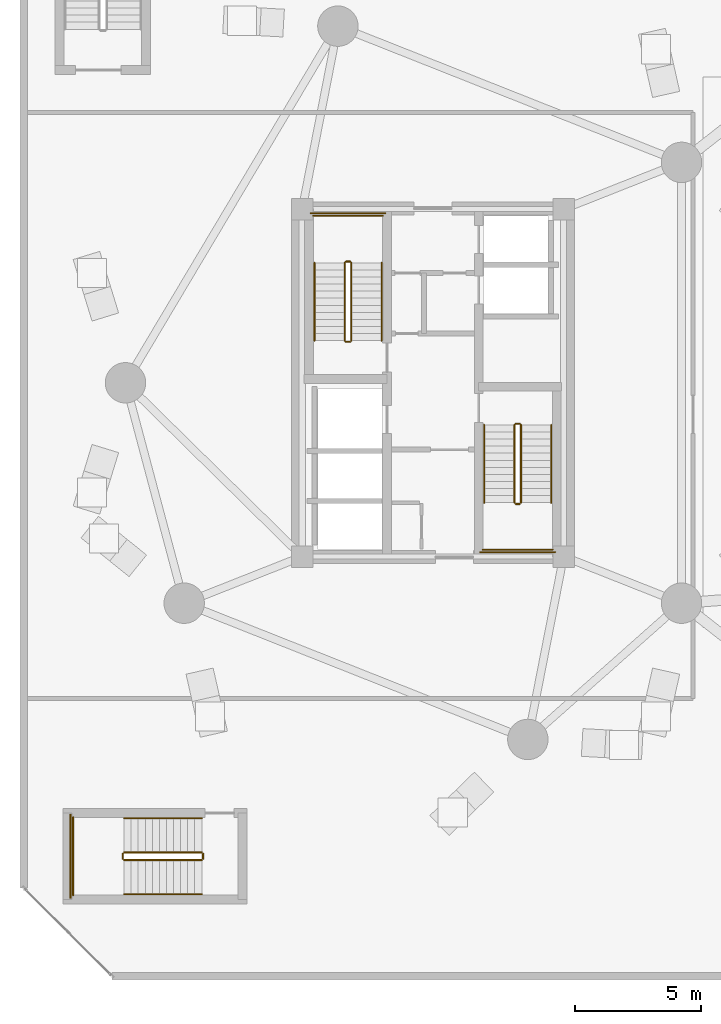
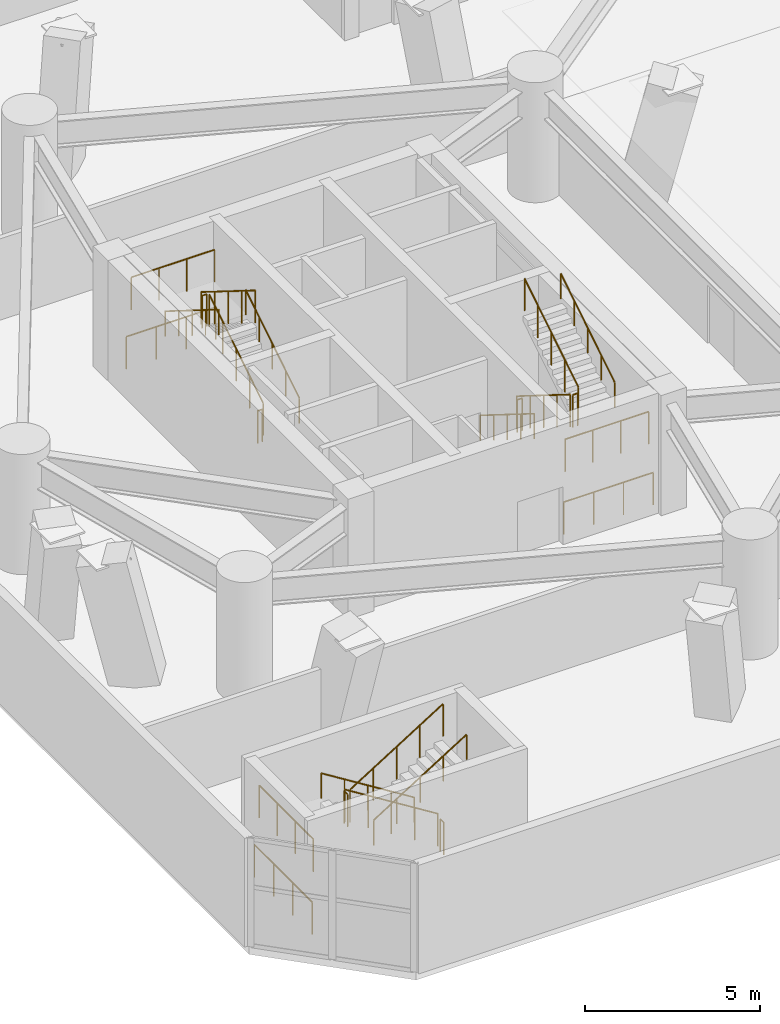
# One storey, part 16 of 20: 24 railings.
"""IFC4 building model written with IfcOpenShell, lengths in metres."""

from ifc_helpers import new_model, si_unit, direction, frame, origin, origin_2d, place, context, subcontext, project, spatial, circle, extrude, material, type_object, element, save


model = new_model("IFC4")

# Units and contexts
model_context = context("Model", 3, precision=1e-05, world=origin(), true_north=direction((0.0, 1.0)))
body_context = subcontext(model_context, "Body", "Model", "MODEL_VIEW")
ifc_project = project(units=[si_unit("LENGTHUNIT", "METRE"), si_unit("AREAUNIT", "SQUARE_METRE"), si_unit("VOLUMEUNIT", "CUBIC_METRE"), si_unit("PLANEANGLEUNIT", "RADIAN"), si_unit("MASSUNIT", "GRAM", prefix="KILO")], contexts=[model_context])

# Site, building, storey
site_placement = place(None, origin())
site = spatial("IfcSite", under=ifc_project, at=site_placement, CompositionType="ELEMENT")
building_placement = place(site_placement, origin())
building = spatial("IfcBuilding", under=site, at=building_placement, Name="Cununo Teusaquillo Station Towers", CompositionType="ELEMENT")
storey_placement = place(building_placement, frame((0.0, 0.0, 13.199951171875)))
storey = spatial("IfcBuildingStorey", under=building, at=storey_placement, Name="L03", CompositionType="ELEMENT", Elevation=13.199951171875)

# Railings
ifc_material_1 = material(Name="Steel EN 10025-2 S355J2", Category="steel")
railing_type_1 = type_object("IfcRailingType", Name="RL-INT-GUARD", PredefinedType="GUARDRAIL", material=ifc_material_1)
railing_1_placement = place(storey_placement, frame((13.27001953125, 26.169921875, 0.175048828125)))
element("IfcRailing", 1, at=railing_1_placement, inside=storey, type_object=railing_type_1, Name="L03 ST-T1-1 stair guard 1", PredefinedType="GUARDRAIL", context=body_context, shape_type="SweptSolid", body=[
    extrude(circle(Radius=0.02392578125, at=origin_2d()), frame((0.0, 0.0, 1.1259765625), z_axis=(0.0, 0.847998304005, 0.529998940003), x_axis=(-1.0, 0.0, 0.0)), (0.0, 0.0, 1.0), 3.632080078125),
    extrude(circle(Radius=0.02099609375, at=origin_2d()), origin(), (0.0, 0.0, 1.0), 1.101806640625),
    extrude(circle(Radius=0.02099609375, at=origin_2d()), frame((0.0, 0.77001953125, 0.481201171875)), (0.0, 0.0, 1.0), 1.101806640625),
    extrude(circle(Radius=0.02099609375, at=origin_2d()), frame((0.0, 1.5400390625, 0.96240234375)), (0.0, 0.0, 1.0), 1.101806640625),
    extrude(circle(Radius=0.02099609375, at=origin_2d()), frame((0.0, 2.31005859375, 1.44384765625)), (0.0, 0.0, 1.0), 1.101806640625),
    extrude(circle(Radius=0.02099609375, at=origin_2d()), frame((0.0, 3.080078125, 1.925048828125)), (0.0, 0.0, 1.0), 1.101806640625),
])
railing_2_placement = place(storey_placement, frame((13.219970703125, 29.300048828125, 2.10009765625)))
element("IfcRailing", 2, at=railing_2_placement, inside=storey, type_object=railing_type_1, Name="L03 ST-T1-1 stair guard 2", PredefinedType="GUARDRAIL", context=body_context, shape_type="SweptSolid", body=[
    extrude(circle(Radius=0.02392578125, at=origin_2d()), frame((0.0, 0.0, 1.1259765625), z_axis=(-1.0, 0.0, 0.0), x_axis=(0.0, -1.0, 0.0)), (0.0, 0.0, 1.0), 0.159912109375),
    extrude(circle(Radius=0.02099609375, at=origin_2d()), origin(), (0.0, 0.0, 1.0), 1.101806640625),
    extrude(circle(Radius=0.02099609375, at=origin_2d()), frame((-0.159912109375, 0.0, 0.0)), (0.0, 0.0, 1.0), 1.101806640625),
])
railing_3_placement = place(storey_placement, frame((14.52001953125, 31.110107421875, 2.10009765625)))
element("IfcRailing", 3, at=railing_3_placement, inside=storey, type_object=railing_type_1, Name="L03 ST-T1-1 stair guard 3", PredefinedType="GUARDRAIL", context=body_context, shape_type="SweptSolid", body=[
    extrude(circle(Radius=0.02392578125, at=origin_2d()), frame((0.0, 0.0, 1.1259765625), z_axis=(-1.0, 0.0, 0.0), x_axis=(0.0, -1.0, 0.0)), (0.0, 0.0, 1.0), 2.760009765625),
    extrude(circle(Radius=0.02099609375, at=origin_2d()), origin(), (0.0, 0.0, 1.0), 1.101806640625),
    extrude(circle(Radius=0.02099609375, at=origin_2d()), frame((-0.919921875, 0.0, 0.0)), (0.0, 0.0, 1.0), 1.101806640625),
    extrude(circle(Radius=0.02099609375, at=origin_2d()), frame((-1.840087890625, 0.0, 0.0)), (0.0, 0.0, 1.0), 1.101806640625),
    extrude(circle(Radius=0.02099609375, at=origin_2d()), frame((-2.760009765625, 0.0, 0.0)), (0.0, 0.0, 1.0), 1.101806640625),
])
railing_4_placement = place(storey_placement, frame((13.010009765625, 29.25, 2.275146484375)))
element("IfcRailing", 4, at=railing_4_placement, inside=storey, type_object=railing_type_1, Name="L03 ST-T1-1 stair guard 4", PredefinedType="GUARDRAIL", context=body_context, shape_type="SweptSolid", body=[
    extrude(circle(Radius=0.02392578125, at=origin_2d()), frame((0.0, 0.0, 1.1259765625), z_axis=(0.0, -0.848028513186, 0.529950602248), x_axis=(1.0, 0.0, 0.0)), (0.0, 0.0, 1.0), 3.632080078125),
    extrude(circle(Radius=0.02099609375, at=origin_2d()), origin(), (0.0, 0.0, 1.0), 1.101806640625),
    extrude(circle(Radius=0.02099609375, at=origin_2d()), frame((0.0, -0.77001953125, 0.481201171875)), (0.0, 0.0, 1.0), 1.101806640625),
    extrude(circle(Radius=0.02099609375, at=origin_2d()), frame((0.0, -1.5400390625, 0.96240234375)), (0.0, 0.0, 1.0), 1.101806640625),
    extrude(circle(Radius=0.02099609375, at=origin_2d()), frame((0.0, -2.31005859375, 1.443603515625)), (0.0, 0.0, 1.0), 1.101806640625),
    extrude(circle(Radius=0.02099609375, at=origin_2d()), frame((0.0, -3.080078125, 1.9248046875)), (0.0, 0.0, 1.0), 1.101806640625),
])
railing_5_placement = place(storey_placement, frame((13.219970703125, 26.1201171875, 0.0)))
element("IfcRailing", 5, at=railing_5_placement, inside=storey, type_object=railing_type_1, Name="L03 ST-T1-1 stair guard 5", PredefinedType="GUARDRAIL", context=body_context, shape_type="SweptSolid", body=[
    extrude(circle(Radius=0.02392578125, at=origin_2d()), frame((0.0, 0.0, 1.1259765625), z_axis=(-1.0, 0.0, 0.0), x_axis=(0.0, -1.0, 0.0)), (0.0, 0.0, 1.0), 0.159912109375),
    extrude(circle(Radius=0.02099609375, at=origin_2d()), origin(), (0.0, 0.0, 1.0), 1.101806640625),
    extrude(circle(Radius=0.02099609375, at=origin_2d()), frame((-0.159912109375, 0.0, 0.0)), (0.0, 0.0, 1.0), 1.101806640625),
])
railing_6_placement = place(storey_placement, frame((14.6201171875, 31.2099609375, 0.0)))
element("IfcRailing", 6, at=railing_6_placement, inside=storey, type_object=railing_type_1, Name="L03 ST-T1-1 stair guard 6", PredefinedType="GUARDRAIL", context=body_context, shape_type="SweptSolid", body=[
    extrude(circle(Radius=0.02392578125, at=origin_2d()), frame((0.0, 0.0, 1.1259765625), z_axis=(-1.0, 0.0, 0.0), x_axis=(0.0, -1.0, 0.0)), (0.0, 0.0, 1.0), 2.960205078125),
    extrude(circle(Radius=0.02099609375, at=origin_2d()), origin(), (0.0, 0.0, 1.0), 1.101806640625),
    extrude(circle(Radius=0.02099609375, at=origin_2d()), frame((-0.98681640625, 0.0, 0.0)), (0.0, 0.0, 1.0), 1.101806640625),
    extrude(circle(Radius=0.02099609375, at=origin_2d()), frame((-1.973388671875, 0.0, 0.0)), (0.0, 0.0, 1.0), 1.101806640625),
    extrude(circle(Radius=0.02099609375, at=origin_2d()), frame((-2.960205078125, 0.0, 0.0)), (0.0, 0.0, 1.0), 1.101806640625),
])
railing_7_placement = place(storey_placement, frame((19.72998046875, 22.830078125, 0.175048828125)))
element("IfcRailing", 7, at=railing_7_placement, inside=storey, type_object=railing_type_1, Name="L03 ST-T1-2 stair guard 1", PredefinedType="GUARDRAIL", context=body_context, shape_type="SweptSolid", body=[
    extrude(circle(Radius=0.02392578125, at=origin_2d()), frame((0.0, 0.0, 1.1259765625), z_axis=(0.0, -0.847998304005, 0.529998940003), x_axis=(1.0, 0.0, 0.0)), (0.0, 0.0, 1.0), 3.632080078125),
    extrude(circle(Radius=0.02099609375, at=origin_2d()), origin(), (0.0, 0.0, 1.0), 1.101806640625),
    extrude(circle(Radius=0.02099609375, at=origin_2d()), frame((0.0, -0.77001953125, 0.481201171875)), (0.0, 0.0, 1.0), 1.101806640625),
    extrude(circle(Radius=0.02099609375, at=origin_2d()), frame((0.0, -1.5400390625, 0.96240234375)), (0.0, 0.0, 1.0), 1.101806640625),
    extrude(circle(Radius=0.02099609375, at=origin_2d()), frame((0.0, -2.31005859375, 1.44384765625)), (0.0, 0.0, 1.0), 1.101806640625),
    extrude(circle(Radius=0.02099609375, at=origin_2d()), frame((0.0, -3.080078125, 1.925048828125)), (0.0, 0.0, 1.0), 1.101806640625),
])
railing_8_placement = place(storey_placement, frame((19.780029296875, 19.699951171875, 2.10009765625)))
element("IfcRailing", 8, at=railing_8_placement, inside=storey, type_object=railing_type_1, Name="L03 ST-T1-2 stair guard 2", PredefinedType="GUARDRAIL", context=body_context, shape_type="SweptSolid", body=[
    extrude(circle(Radius=0.02392578125, at=origin_2d()), frame((0.0, 0.0, 1.1259765625), z_axis=(1.0, 0.0, 0.0), x_axis=(0.0, 1.0, 0.0)), (0.0, 0.0, 1.0), 0.159912109375),
    extrude(circle(Radius=0.02099609375, at=origin_2d()), origin(), (0.0, 0.0, 1.0), 1.101806640625),
    extrude(circle(Radius=0.02099609375, at=origin_2d()), frame((0.159912109375, 0.0, 0.0)), (0.0, 0.0, 1.0), 1.101806640625),
])
railing_9_placement = place(storey_placement, frame((18.47998046875, 17.889892578125, 2.10009765625)))
element("IfcRailing", 9, at=railing_9_placement, inside=storey, type_object=railing_type_1, Name="L03 ST-T1-2 stair guard 3", PredefinedType="GUARDRAIL", context=body_context, shape_type="SweptSolid", body=[
    extrude(circle(Radius=0.02392578125, at=origin_2d()), frame((0.0, 0.0, 1.1259765625), z_axis=(1.0, 0.0, 0.0), x_axis=(0.0, 1.0, 0.0)), (0.0, 0.0, 1.0), 2.760009765625),
    extrude(circle(Radius=0.02099609375, at=origin_2d()), origin(), (0.0, 0.0, 1.0), 1.101806640625),
    extrude(circle(Radius=0.02099609375, at=origin_2d()), frame((0.919921875, 0.0, 0.0)), (0.0, 0.0, 1.0), 1.101806640625),
    extrude(circle(Radius=0.02099609375, at=origin_2d()), frame((1.840087890625, 0.0, 0.0)), (0.0, 0.0, 1.0), 1.101806640625),
    extrude(circle(Radius=0.02099609375, at=origin_2d()), frame((2.760009765625, 0.0, 0.0)), (0.0, 0.0, 1.0), 1.101806640625),
])
railing_10_placement = place(storey_placement, frame((19.989990234375, 19.75, 2.275146484375)))
element("IfcRailing", 10, at=railing_10_placement, inside=storey, type_object=railing_type_1, Name="L03 ST-T1-2 stair guard 4", PredefinedType="GUARDRAIL", context=body_context, shape_type="SweptSolid", body=[
    extrude(circle(Radius=0.02392578125, at=origin_2d()), frame((0.0, 0.0, 1.1259765625), z_axis=(0.0, 0.848028513186, 0.529950602248), x_axis=(-1.0, 0.0, 0.0)), (0.0, 0.0, 1.0), 3.632080078125),
    extrude(circle(Radius=0.02099609375, at=origin_2d()), origin(), (0.0, 0.0, 1.0), 1.101806640625),
    extrude(circle(Radius=0.02099609375, at=origin_2d()), frame((0.0, 0.77001953125, 0.481201171875)), (0.0, 0.0, 1.0), 1.101806640625),
    extrude(circle(Radius=0.02099609375, at=origin_2d()), frame((0.0, 1.5400390625, 0.96240234375)), (0.0, 0.0, 1.0), 1.101806640625),
    extrude(circle(Radius=0.02099609375, at=origin_2d()), frame((0.0, 2.31005859375, 1.443603515625)), (0.0, 0.0, 1.0), 1.101806640625),
    extrude(circle(Radius=0.02099609375, at=origin_2d()), frame((0.0, 3.080078125, 1.9248046875)), (0.0, 0.0, 1.0), 1.101806640625),
])
railing_11_placement = place(storey_placement, frame((19.780029296875, 22.8798828125, 0.0)))
element("IfcRailing", 11, at=railing_11_placement, inside=storey, type_object=railing_type_1, Name="L03 ST-T1-2 stair guard 5", PredefinedType="GUARDRAIL", context=body_context, shape_type="SweptSolid", body=[
    extrude(circle(Radius=0.02392578125, at=origin_2d()), frame((0.0, 0.0, 1.1259765625), z_axis=(1.0, 0.0, 0.0), x_axis=(0.0, 1.0, 0.0)), (0.0, 0.0, 1.0), 0.159912109375),
    extrude(circle(Radius=0.02099609375, at=origin_2d()), origin(), (0.0, 0.0, 1.0), 1.101806640625),
    extrude(circle(Radius=0.02099609375, at=origin_2d()), frame((0.159912109375, 0.0, 0.0)), (0.0, 0.0, 1.0), 1.101806640625),
])
railing_12_placement = place(storey_placement, frame((18.3798828125, 17.7900390625, 0.0)))
element("IfcRailing", 12, at=railing_12_placement, inside=storey, type_object=railing_type_1, Name="L03 ST-T1-2 stair guard 6", PredefinedType="GUARDRAIL", context=body_context, shape_type="SweptSolid", body=[
    extrude(circle(Radius=0.02392578125, at=origin_2d()), frame((0.0, 0.0, 1.1259765625), z_axis=(1.0, 0.0, 0.0), x_axis=(0.0, 1.0, 0.0)), (0.0, 0.0, 1.0), 2.960205078125),
    extrude(circle(Radius=0.02099609375, at=origin_2d()), origin(), (0.0, 0.0, 1.0), 1.101806640625),
    extrude(circle(Radius=0.02099609375, at=origin_2d()), frame((0.98681640625, 0.0, 0.0)), (0.0, 0.0, 1.0), 1.101806640625),
    extrude(circle(Radius=0.02099609375, at=origin_2d()), frame((1.973388671875, 0.0, 0.0)), (0.0, 0.0, 1.0), 1.101806640625),
    extrude(circle(Radius=0.02099609375, at=origin_2d()), frame((2.960205078125, 0.0, 0.0)), (0.0, 0.0, 1.0), 1.101806640625),
])
railing_13_placement = place(storey_placement, frame((7.35009765625, 5.89990234375, 0.175048828125)))
element("IfcRailing", 13, at=railing_13_placement, inside=storey, type_object=railing_type_1, Name="L03 ST-POD-S stair guard 1", PredefinedType="GUARDRAIL", context=body_context, shape_type="SweptSolid", body=[
    extrude(circle(Radius=0.02392578125, at=origin_2d()), frame((0.0, 0.0, 1.1259765625), z_axis=(-0.847998304005, 0.0, 0.529998940003), x_axis=(0.0, -1.0, 0.0)), (0.0, 0.0, 1.0), 3.632080078125),
    extrude(circle(Radius=0.02099609375, at=origin_2d()), origin(), (0.0, 0.0, 1.0), 1.101806640625),
    extrude(circle(Radius=0.02099609375, at=origin_2d()), frame((-0.77001953125, 0.0, 0.481201171875)), (0.0, 0.0, 1.0), 1.101806640625),
    extrude(circle(Radius=0.02099609375, at=origin_2d()), frame((-1.5400390625, 0.0, 0.96240234375)), (0.0, 0.0, 1.0), 1.101806640625),
    extrude(circle(Radius=0.02099609375, at=origin_2d()), frame((-2.31005859375, 0.0, 1.44384765625)), (0.0, 0.0, 1.0), 1.101806640625),
    extrude(circle(Radius=0.02099609375, at=origin_2d()), frame((-3.080078125, 0.0, 1.925048828125)), (0.0, 0.0, 1.0), 1.101806640625),
])
railing_14_placement = place(storey_placement, frame((4.219970703125, 5.85009765625, 2.10009765625)))
element("IfcRailing", 14, at=railing_14_placement, inside=storey, type_object=railing_type_1, Name="L03 ST-POD-S stair guard 2", PredefinedType="GUARDRAIL", context=body_context, shape_type="SweptSolid", body=[
    extrude(circle(Radius=0.02392578125, at=origin_2d()), frame((0.0, 0.0, 1.1259765625), z_axis=(0.0, -1.0, 0.0), x_axis=(1.0, 0.0, 0.0)), (0.0, 0.0, 1.0), 0.2001953125),
    extrude(circle(Radius=0.02099609375, at=origin_2d()), origin(), (0.0, 0.0, 1.0), 1.101806640625),
    extrude(circle(Radius=0.02099609375, at=origin_2d()), frame((0.0, -0.2001953125, 0.0)), (0.0, 0.0, 1.0), 1.101806640625),
])
railing_15_placement = place(storey_placement, frame((2.25, 7.300048828125, 2.10009765625)))
element("IfcRailing", 15, at=railing_15_placement, inside=storey, type_object=railing_type_1, Name="L03 ST-POD-S stair guard 3", PredefinedType="GUARDRAIL", context=body_context, shape_type="SweptSolid", body=[
    extrude(circle(Radius=0.02392578125, at=origin_2d()), frame((0.0, 0.0, 1.1259765625), z_axis=(0.0, -1.0, 0.0), x_axis=(1.0, 0.0, 0.0)), (0.0, 0.0, 1.0), 3.10009765625),
    extrude(circle(Radius=0.02099609375, at=origin_2d()), origin(), (0.0, 0.0, 1.0), 1.101806640625),
    extrude(circle(Radius=0.02099609375, at=origin_2d()), frame((0.0, -1.033447265625, 0.0)), (0.0, 0.0, 1.0), 1.101806640625),
    extrude(circle(Radius=0.02099609375, at=origin_2d()), frame((0.0, -2.066650390625, 0.0)), (0.0, 0.0, 1.0), 1.101806640625),
    extrude(circle(Radius=0.02099609375, at=origin_2d()), frame((0.0, -3.10009765625, 0.0)), (0.0, 0.0, 1.0), 1.101806640625),
])
railing_16_placement = place(storey_placement, frame((4.27001953125, 5.60009765625, 2.275146484375)))
element("IfcRailing", 16, at=railing_16_placement, inside=storey, type_object=railing_type_1, Name="L03 ST-POD-S stair guard 4", PredefinedType="GUARDRAIL", context=body_context, shape_type="SweptSolid", body=[
    extrude(circle(Radius=0.02392578125, at=origin_2d()), frame((0.0, 0.0, 1.1259765625), z_axis=(0.848028513186, 0.0, 0.529950602248), x_axis=(0.0, 1.0, 0.0)), (0.0, 0.0, 1.0), 3.632080078125),
    extrude(circle(Radius=0.02099609375, at=origin_2d()), origin(), (0.0, 0.0, 1.0), 1.101806640625),
    extrude(circle(Radius=0.02099609375, at=origin_2d()), frame((0.77001953125, 0.0, 0.481201171875)), (0.0, 0.0, 1.0), 1.101806640625),
    extrude(circle(Radius=0.02099609375, at=origin_2d()), frame((1.5400390625, 0.0, 0.96240234375)), (0.0, 0.0, 1.0), 1.101806640625),
    extrude(circle(Radius=0.02099609375, at=origin_2d()), frame((2.31005859375, 0.0, 1.443603515625)), (0.0, 0.0, 1.0), 1.101806640625),
    extrude(circle(Radius=0.02099609375, at=origin_2d()), frame((3.080078125, 0.0, 1.9248046875)), (0.0, 0.0, 1.0), 1.101806640625),
])
railing_17_placement = place(storey_placement, frame((7.39990234375, 5.85009765625, 0.0)))
element("IfcRailing", 17, at=railing_17_placement, inside=storey, type_object=railing_type_1, Name="L03 ST-POD-S stair guard 5", PredefinedType="GUARDRAIL", context=body_context, shape_type="SweptSolid", body=[
    extrude(circle(Radius=0.02392578125, at=origin_2d()), frame((0.0, 0.0, 1.1259765625), z_axis=(0.0, -1.0, 0.0), x_axis=(1.0, 0.0, 0.0)), (0.0, 0.0, 1.0), 0.2001953125),
    extrude(circle(Radius=0.02099609375, at=origin_2d()), origin(), (0.0, 0.0, 1.0), 1.101806640625),
    extrude(circle(Radius=0.02099609375, at=origin_2d()), frame((0.0, -0.2001953125, 0.0)), (0.0, 0.0, 1.0), 1.101806640625),
])
railing_18_placement = place(storey_placement, frame((2.14990234375, 7.39990234375, 0.0)))
element("IfcRailing", 18, at=railing_18_placement, inside=storey, type_object=railing_type_1, Name="L03 ST-POD-S stair guard 6", PredefinedType="GUARDRAIL", context=body_context, shape_type="SweptSolid", body=[
    extrude(circle(Radius=0.02392578125, at=origin_2d()), frame((0.0, 0.0, 1.1259765625), z_axis=(0.0, -1.0, 0.0), x_axis=(1.0, 0.0, 0.0)), (0.0, 0.0, 1.0), 3.2998046875),
    extrude(circle(Radius=0.02099609375, at=origin_2d()), origin(), (0.0, 0.0, 1.0), 1.101806640625),
    extrude(circle(Radius=0.02099609375, at=origin_2d()), frame((0.0, -1.099853515625, 0.0)), (0.0, 0.0, 1.0), 1.101806640625),
    extrude(circle(Radius=0.02099609375, at=origin_2d()), frame((0.0, -2.199951171875, 0.0)), (0.0, 0.0, 1.0), 1.101806640625),
    extrude(circle(Radius=0.02099609375, at=origin_2d()), frame((0.0, -3.2998046875, 0.0)), (0.0, 0.0, 1.0), 1.101806640625),
])
ifc_material_2 = material(Name="Steel EN 10025-2 S355J2", Category="steel")
railing_type_2 = type_object("IfcRailingType", Name="RL-INT-HRAIL", PredefinedType="HANDRAIL", material=ifc_material_2)
railing_19_placement = place(storey_placement, frame((14.469970703125, 26.169921875, 0.175048828125)))
element("IfcRailing", 19, at=railing_19_placement, inside=storey, type_object=railing_type_2, Name="L03 ST-T1-1 stair handrail 1", PredefinedType="HANDRAIL", context=body_context, shape_type="SweptSolid", body=[
    extrude(circle(Radius=0.02392578125, at=origin_2d()), frame((0.0, 0.0, 0.8759765625), z_axis=(0.0, 0.847998304005, 0.529998940003), x_axis=(-1.0, 0.0, 0.0)), (0.0, 0.0, 1.0), 3.632080078125),
    extrude(circle(Radius=0.02099609375, at=origin_2d()), origin(), (0.0, 0.0, 1.0), 0.851806640625),
    extrude(circle(Radius=0.02099609375, at=origin_2d()), frame((0.0, 0.77001953125, 0.481201171875)), (0.0, 0.0, 1.0), 0.851806640625),
    extrude(circle(Radius=0.02099609375, at=origin_2d()), frame((0.0, 1.5400390625, 0.96240234375)), (0.0, 0.0, 1.0), 0.851806640625),
    extrude(circle(Radius=0.02099609375, at=origin_2d()), frame((0.0, 2.31005859375, 1.44384765625)), (0.0, 0.0, 1.0), 0.851806640625),
    extrude(circle(Radius=0.02099609375, at=origin_2d()), frame((0.0, 3.080078125, 1.925048828125)), (0.0, 0.0, 1.0), 0.851806640625),
])
railing_20_placement = place(storey_placement, frame((11.81005859375, 29.25, 2.275146484375)))
element("IfcRailing", 20, at=railing_20_placement, inside=storey, type_object=railing_type_2, Name="L03 ST-T1-1 stair handrail 2", PredefinedType="HANDRAIL", context=body_context, shape_type="SweptSolid", body=[
    extrude(circle(Radius=0.02392578125, at=origin_2d()), frame((0.0, 0.0, 0.8759765625), z_axis=(0.0, -0.848028513186, 0.529950602248), x_axis=(1.0, 0.0, 0.0)), (0.0, 0.0, 1.0), 3.632080078125),
    extrude(circle(Radius=0.02099609375, at=origin_2d()), origin(), (0.0, 0.0, 1.0), 0.851806640625),
    extrude(circle(Radius=0.02099609375, at=origin_2d()), frame((0.0, -0.77001953125, 0.481201171875)), (0.0, 0.0, 1.0), 0.851806640625),
    extrude(circle(Radius=0.02099609375, at=origin_2d()), frame((0.0, -1.5400390625, 0.96240234375)), (0.0, 0.0, 1.0), 0.851806640625),
    extrude(circle(Radius=0.02099609375, at=origin_2d()), frame((0.0, -2.31005859375, 1.443603515625)), (0.0, 0.0, 1.0), 0.851806640625),
    extrude(circle(Radius=0.02099609375, at=origin_2d()), frame((0.0, -3.080078125, 1.9248046875)), (0.0, 0.0, 1.0), 0.851806640625),
])
railing_21_placement = place(storey_placement, frame((18.530029296875, 22.830078125, 0.175048828125)))
element("IfcRailing", 21, at=railing_21_placement, inside=storey, type_object=railing_type_2, Name="L03 ST-T1-2 stair handrail 1", PredefinedType="HANDRAIL", context=body_context, shape_type="SweptSolid", body=[
    extrude(circle(Radius=0.02392578125, at=origin_2d()), frame((0.0, 0.0, 0.8759765625), z_axis=(0.0, -0.847998304005, 0.529998940003), x_axis=(1.0, 0.0, 0.0)), (0.0, 0.0, 1.0), 3.632080078125),
    extrude(circle(Radius=0.02099609375, at=origin_2d()), origin(), (0.0, 0.0, 1.0), 0.851806640625),
    extrude(circle(Radius=0.02099609375, at=origin_2d()), frame((0.0, -0.77001953125, 0.481201171875)), (0.0, 0.0, 1.0), 0.851806640625),
    extrude(circle(Radius=0.02099609375, at=origin_2d()), frame((0.0, -1.5400390625, 0.96240234375)), (0.0, 0.0, 1.0), 0.851806640625),
    extrude(circle(Radius=0.02099609375, at=origin_2d()), frame((0.0, -2.31005859375, 1.44384765625)), (0.0, 0.0, 1.0), 0.851806640625),
    extrude(circle(Radius=0.02099609375, at=origin_2d()), frame((0.0, -3.080078125, 1.925048828125)), (0.0, 0.0, 1.0), 0.851806640625),
])
railing_22_placement = place(storey_placement, frame((21.18994140625, 19.75, 2.275146484375)))
element("IfcRailing", 22, at=railing_22_placement, inside=storey, type_object=railing_type_2, Name="L03 ST-T1-2 stair handrail 2", PredefinedType="HANDRAIL", context=body_context, shape_type="SweptSolid", body=[
    extrude(circle(Radius=0.02392578125, at=origin_2d()), frame((0.0, 0.0, 0.8759765625), z_axis=(0.0, 0.848028513186, 0.529950602248), x_axis=(-1.0, 0.0, 0.0)), (0.0, 0.0, 1.0), 3.632080078125),
    extrude(circle(Radius=0.02099609375, at=origin_2d()), origin(), (0.0, 0.0, 1.0), 0.851806640625),
    extrude(circle(Radius=0.02099609375, at=origin_2d()), frame((0.0, 0.77001953125, 0.481201171875)), (0.0, 0.0, 1.0), 0.851806640625),
    extrude(circle(Radius=0.02099609375, at=origin_2d()), frame((0.0, 1.5400390625, 0.96240234375)), (0.0, 0.0, 1.0), 0.851806640625),
    extrude(circle(Radius=0.02099609375, at=origin_2d()), frame((0.0, 2.31005859375, 1.443603515625)), (0.0, 0.0, 1.0), 0.851806640625),
    extrude(circle(Radius=0.02099609375, at=origin_2d()), frame((0.0, 3.080078125, 1.9248046875)), (0.0, 0.0, 1.0), 0.851806640625),
])
railing_23_placement = place(storey_placement, frame((7.35009765625, 7.25, 0.175048828125)))
element("IfcRailing", 23, at=railing_23_placement, inside=storey, type_object=railing_type_2, Name="L03 ST-POD-S stair handrail 1", PredefinedType="HANDRAIL", context=body_context, shape_type="SweptSolid", body=[
    extrude(circle(Radius=0.02392578125, at=origin_2d()), frame((0.0, 0.0, 0.8759765625), z_axis=(-0.847998304005, 0.0, 0.529998940003), x_axis=(0.0, -1.0, 0.0)), (0.0, 0.0, 1.0), 3.632080078125),
    extrude(circle(Radius=0.02099609375, at=origin_2d()), origin(), (0.0, 0.0, 1.0), 0.851806640625),
    extrude(circle(Radius=0.02099609375, at=origin_2d()), frame((-0.77001953125, 0.0, 0.481201171875)), (0.0, 0.0, 1.0), 0.851806640625),
    extrude(circle(Radius=0.02099609375, at=origin_2d()), frame((-1.5400390625, 0.0, 0.96240234375)), (0.0, 0.0, 1.0), 0.851806640625),
    extrude(circle(Radius=0.02099609375, at=origin_2d()), frame((-2.31005859375, 0.0, 1.44384765625)), (0.0, 0.0, 1.0), 0.851806640625),
    extrude(circle(Radius=0.02099609375, at=origin_2d()), frame((-3.080078125, 0.0, 1.925048828125)), (0.0, 0.0, 1.0), 0.851806640625),
])
railing_24_placement = place(storey_placement, frame((4.27001953125, 4.25, 2.275146484375)))
element("IfcRailing", 24, at=railing_24_placement, inside=storey, type_object=railing_type_2, Name="L03 ST-POD-S stair handrail 2", PredefinedType="HANDRAIL", context=body_context, shape_type="SweptSolid", body=[
    extrude(circle(Radius=0.02392578125, at=origin_2d()), frame((0.0, 0.0, 0.8759765625), z_axis=(0.848028513186, 0.0, 0.529950602248), x_axis=(0.0, 1.0, 0.0)), (0.0, 0.0, 1.0), 3.632080078125),
    extrude(circle(Radius=0.02099609375, at=origin_2d()), origin(), (0.0, 0.0, 1.0), 0.851806640625),
    extrude(circle(Radius=0.02099609375, at=origin_2d()), frame((0.77001953125, 0.0, 0.481201171875)), (0.0, 0.0, 1.0), 0.851806640625),
    extrude(circle(Radius=0.02099609375, at=origin_2d()), frame((1.5400390625, 0.0, 0.96240234375)), (0.0, 0.0, 1.0), 0.851806640625),
    extrude(circle(Radius=0.02099609375, at=origin_2d()), frame((2.31005859375, 0.0, 1.443603515625)), (0.0, 0.0, 1.0), 0.851806640625),
    extrude(circle(Radius=0.02099609375, at=origin_2d()), frame((3.080078125, 0.0, 1.9248046875)), (0.0, 0.0, 1.0), 0.851806640625),
])

save(model, "model.ifc")
